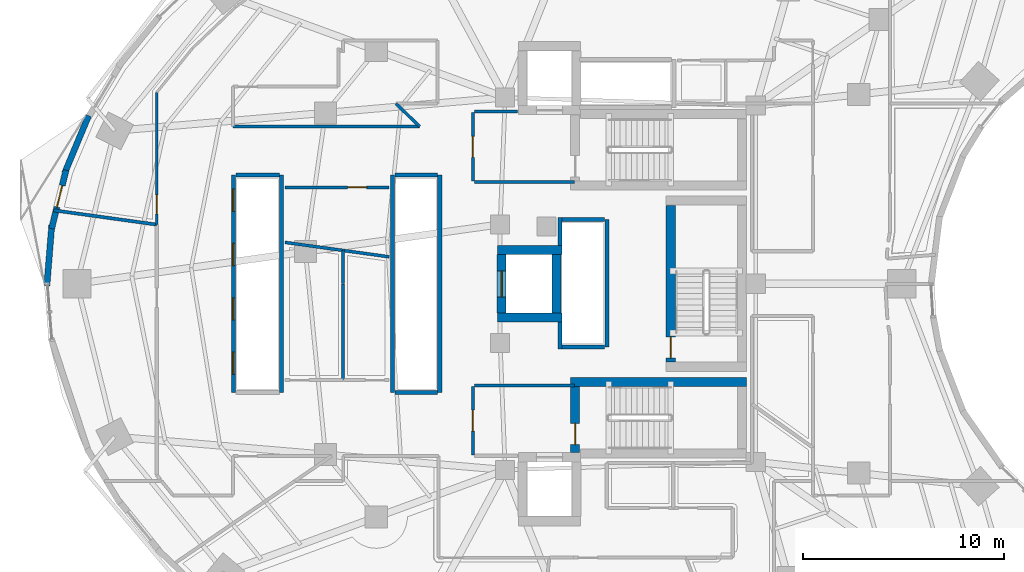
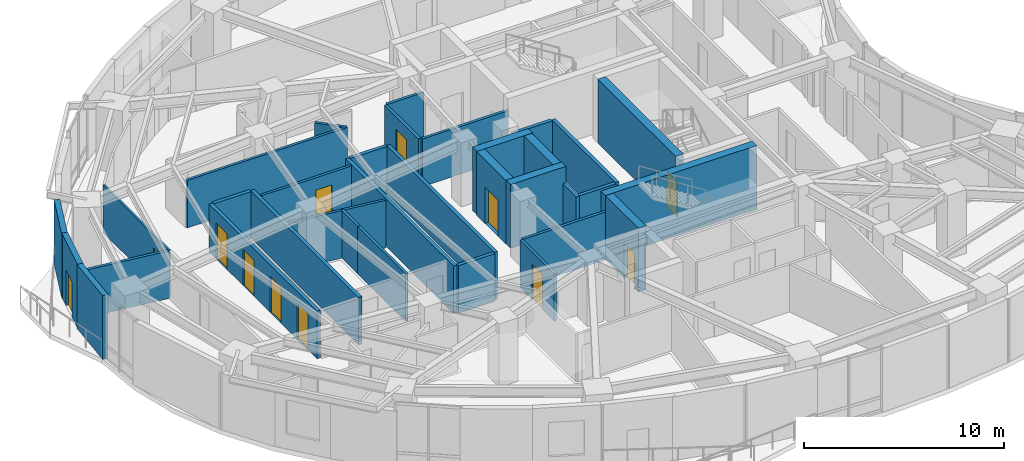
# One storey, part 9 of 16: 36 walls, 12 doors, 12 openings.
"""IFC4 building model written with IfcOpenShell, lengths in metres."""

from ifc_helpers import new_model, si_unit, direction, frame, frame_2d, origin, place, context, subcontext, project, spatial, rectangle, extrude, material, layer, layer_set, type_object, element, fill, save


model = new_model("IFC4")

# Units and contexts
model_context = context("Model", 3, precision=1e-05, world=origin(), true_north=direction((0.0, 1.0)))
body_context = subcontext(model_context, "Body", "Model", "MODEL_VIEW")
ifc_project = project(units=[si_unit("LENGTHUNIT", "METRE"), si_unit("AREAUNIT", "SQUARE_METRE"), si_unit("VOLUMEUNIT", "CUBIC_METRE"), si_unit("PLANEANGLEUNIT", "RADIAN"), si_unit("MASSUNIT", "GRAM", prefix="KILO")], contexts=[model_context])

# Site, building, storey
site_placement = place(None, origin())
site = spatial("IfcSite", under=ifc_project, at=site_placement, CompositionType="ELEMENT")
building_placement = place(site_placement, origin())
building = spatial("IfcBuilding", under=site, at=building_placement, Name="Korentha Bioscience Tower", CompositionType="ELEMENT")
storey_placement = place(building_placement, frame((0.0, 0.0, 59.39990234375)))
storey = spatial("IfcBuildingStorey", under=building, at=storey_placement, Name="L13", CompositionType="ELEMENT", Elevation=59.39990234375)

# Wall, opening, door
ifc_material_1 = material(Name="Double-Stud Acoustic Gypsum", Category="gypsum")
ifc_layer_1 = layer(ifc_material_1, 0.14990234375, Name="Double-Stud Acoustic Gypsum")
ifc_layer_set_1 = layer_set([ifc_layer_1], Name="Double-Stud Acoustic Gypsum (IW-L150)")
wall_type_1 = type_object("IfcWallType", Name="Acoustic Laboratory Partition Wall 150", PredefinedType="PARTITIONING", material=ifc_layer_set_1)
wall_1_placement = place(storey_placement, frame((14.159912109375, 31.7900390625, 0.0), z_axis=(0.0, 0.0, 1.0), x_axis=(1.0, 0.0, 0.0)))
wall_1 = element("IfcWall", 1, at=wall_1_placement, inside=storey, type_object=wall_type_1, Name="L13 Staff Kitchenette and Dining Nook 20 Entrance Wall", PredefinedType="PARTITIONING", context=body_context, shape_type="SweptSolid", body=[
    extrude(rectangle(XDim=5.18017578125, YDim=0.14990234375, at=frame_2d((2.590087890625, 0.0))), origin(), (0.0, 0.0, 1.0), 2.91015625),
])
opening_1_placement = place(wall_1_placement, frame((3.112060546875, 0.0, 0.0)))
opening_1 = element("IfcOpeningElement", 2, at=opening_1_placement, cuts=wall_1, Name="Opening ID-10L", PredefinedType="OPENING", context=body_context, shape_type="SweptSolid", body=[
    extrude(rectangle(XDim=0.949951171875, YDim=2.14990234375, at=frame_2d((0.47509765625, 1.074951171875))), frame((0.0, 0.08984375, 0.0), z_axis=(0.0, -1.0, 0.0), x_axis=(1.0, 0.0, 0.0)), (0.0, 0.0, 1.0), 0.1796875),
])
ifc_material_2 = material(Name="Phenolic Laminate Timber Core", Category="wood")
door_type_1 = type_object("IfcDoorType", Name="Laboratory Single Leaf Door 950x2150 Left", OperationType="SINGLE_SWING_LEFT", PredefinedType="DOOR", material=ifc_material_2)
door_1_placement = place(opening_1_placement, origin())
door_1 = element("IfcDoor", 3, at=door_1_placement, inside=storey, type_object=door_type_1, Name="L13 Staff Kitchenette and Dining Nook 20 Door", OperationType="SINGLE_SWING_LEFT", OverallHeight=2.14990234375, OverallWidth=0.949951171875, PredefinedType="DOOR", context=body_context, shape_type="SweptSolid", body=[
    extrude(rectangle(XDim=0.949951171875, YDim=2.14990234375, at=frame_2d((0.47509765625, 1.074951171875))), frame((0.0, 0.02490234375, 0.0), z_axis=(0.0, -1.0, 0.0), x_axis=(1.0, 0.0, 0.0)), (0.0, 0.0, 1.0), 0.050048828125),
])
fill(opening_1, door_1)

# Walls
wall_2_placement = place(storey_placement, frame((14.16015625, 29.053466796875, 0.0), z_axis=(0.0, 0.0, 1.0), x_axis=(0.990512548381, -0.137422310779, 0.0)))
element("IfcWall", 4, at=wall_2_placement, inside=storey, type_object=wall_type_1, Name="L13 Interior Partition 028", PredefinedType="PARTITIONING", context=body_context, shape_type="SweptSolid", body=[
    extrude(rectangle(XDim=2.915283203125, YDim=0.14990234375, at=frame_2d((1.45751953125, 0.0))), origin(), (0.0, 0.0, 1.0), 2.91015625),
])
wall_3_placement = place(storey_placement, frame((17.048095703125, 28.652587890625, 0.0), z_axis=(0.0, 0.0, 1.0), x_axis=(0.0, -1.0, 0.0)))
element("IfcWall", 5, at=wall_3_placement, inside=storey, type_object=wall_type_1, Name="L13 Interior Partition 029", PredefinedType="PARTITIONING", context=body_context, shape_type="SweptSolid", body=[
    extrude(rectangle(XDim=1.650390625, YDim=0.14990234375, at=frame_2d((0.8251953125, 0.0))), origin(), (0.0, 0.0, 1.0), 2.91015625),
])
wall_4_placement = place(storey_placement, frame((17.048095703125, 26.997802734375, 0.0), z_axis=(0.0, 0.0, 1.0), x_axis=(0.0, -1.0, 0.0)))
element("IfcWall", 6, at=wall_4_placement, inside=storey, type_object=wall_type_1, Name="L13 Interior Partition 030", PredefinedType="PARTITIONING", context=body_context, shape_type="SweptSolid", body=[
    extrude(rectangle(XDim=4.787841796875, YDim=0.14990234375, at=frame_2d((2.39404296875, 0.0))), origin(), (0.0, 0.0, 1.0), 2.91015625),
])
wall_5_placement = place(storey_placement, frame((17.05810546875, 28.6513671875, 0.0), z_axis=(0.0, 0.0, 1.0), x_axis=(0.99050751053, -0.137458617714, 0.0)))
element("IfcWall", 7, at=wall_5_placement, inside=storey, type_object=wall_type_1, Name="L13 Interior Partition 034", PredefinedType="PARTITIONING", context=body_context, shape_type="SweptSolid", body=[
    extrude(rectangle(XDim=2.3037109375, YDim=0.14990234375, at=frame_2d((1.15185546875, 0.0))), origin(), (0.0, 0.0, 1.0), 2.91015625),
])
wall_6_placement = place(storey_placement, frame((19.67529296875, 35.945068359375, 0.0), z_axis=(0.0, 0.0, 1.0), x_axis=(0.720620963524, -0.693329234152, 0.0)))
element("IfcWall", 8, at=wall_6_placement, inside=storey, type_object=wall_type_1, Name="L13 Interior Partition 091", PredefinedType="PARTITIONING", context=body_context, shape_type="SweptSolid", body=[
    extrude(rectangle(XDim=1.636962890625, YDim=0.14990234375, at=frame_2d((0.818359375, 0.0))), origin(), (0.0, 0.0, 1.0), 2.91015625),
])
wall_7_placement = place(storey_placement, frame((20.85498046875, 34.81005859375, 0.0), z_axis=(0.0, 0.0, 1.0), x_axis=(-1.0, 0.0, 0.0)))
element("IfcWall", 9, at=wall_7_placement, inside=storey, type_object=wall_type_1, Name="L13 Interior Partition 092", PredefinedType="PARTITIONING", context=body_context, shape_type="SweptSolid", body=[
    extrude(rectangle(XDim=9.264892578125, YDim=0.14990234375, at=frame_2d((4.63232421875, 0.0))), origin(), (0.0, 0.0, 1.0), 2.91015625),
])

# Wall, opening, door
ifc_material_3 = material(Name="Fire-Rated Framed Glass", Category="glass")
ifc_layer_2 = layer(ifc_material_3, 0.110107421875, Name="Fire-Rated Framed Glass")
ifc_layer_set_2 = layer_set([ifc_layer_2], Name="Fire-Rated Framed Glass (IW-G110)")
wall_type_2 = type_object("IfcWallType", Name="Demountable Glazed Office Partition 110", PredefinedType="MOVABLE", material=ifc_layer_set_2)
wall_8_placement = place(storey_placement, frame((7.7900390625, 36.501220703125, 0.0), z_axis=(0.0, 0.0, 1.0), x_axis=(0.0, -1.0, 0.0)))
wall_8 = element("IfcWall", 10, at=wall_8_placement, inside=storey, type_object=wall_type_2, Name="L13 Colloquium Huddle Room 19 Entrance Wall", PredefinedType="MOVABLE", context=body_context, shape_type="SweptSolid", body=[
    extrude(rectangle(XDim=6.5537109375, YDim=0.110107421875, at=frame_2d((3.27685546875, 0.0))), origin(), (0.0, 0.0, 1.0), 2.91015625),
])
opening_2_placement = place(wall_8_placement, frame((5.083251953125, 0.0, 0.0)))
opening_2 = element("IfcOpeningElement", 11, at=opening_2_placement, cuts=wall_8, Name="Opening ID-10R", PredefinedType="OPENING", context=body_context, shape_type="SweptSolid", body=[
    extrude(rectangle(XDim=0.949951171875, YDim=2.14990234375, at=frame_2d((0.47509765625, 1.074951171875))), frame((0.0, 0.06982421875, 0.0), z_axis=(0.0, -1.0, 0.0), x_axis=(1.0, 0.0, 0.0)), (0.0, 0.0, 1.0), 0.139892578125),
])
door_type_2 = type_object("IfcDoorType", Name="Laboratory Single Leaf Door 950x2150 Right", OperationType="SINGLE_SWING_RIGHT", PredefinedType="DOOR", material=ifc_material_2)
door_2_placement = place(opening_2_placement, origin())
door_2 = element("IfcDoor", 12, at=door_2_placement, inside=storey, type_object=door_type_2, Name="L13 Colloquium Huddle Room 19 Door", OperationType="SINGLE_SWING_RIGHT", OverallHeight=2.14990234375, OverallWidth=0.949951171875, PredefinedType="DOOR", context=body_context, shape_type="SweptSolid", body=[
    extrude(rectangle(XDim=0.949951171875, YDim=2.14990234375, at=frame_2d((0.47509765625, 1.074951171875))), frame((0.0, 0.02490234375, 0.0), z_axis=(0.0, -1.0, 0.0), x_axis=(1.0, 0.0, 0.0)), (0.0, 0.0, 1.0), 0.050048828125),
])
fill(opening_2, door_2)

ifc_material_4 = material(Name="Gypsum-Clad Steel Stud", Category="steel")
ifc_layer_3 = layer(ifc_material_4, 0.159912109375, Name="Gypsum-Clad Steel Stud")
ifc_layer_set_3 = layer_set([ifc_layer_3], Name="Gypsum-Clad Steel Stud (IW-C160)")
wall_type_3 = type_object("IfcWallType", Name="Fire-Rated Corridor Partition Wall 160", PredefinedType="PARTITIONING", material=ifc_layer_set_3)
wall_9_placement = place(storey_placement, frame((23.5, 32.10009765625, 0.0), z_axis=(0.0, 0.0, 1.0), x_axis=(0.0, 1.0, 0.0)))
wall_9 = element("IfcWall", 13, at=wall_9_placement, inside=storey, type_object=wall_type_3, Name="L13 FFLN-CW Rated Enclosure Wall", PredefinedType="PARTITIONING", context=body_context, shape_type="SweptSolid", body=[
    extrude(rectangle(XDim=3.39990234375, YDim=0.159912109375, at=frame_2d((1.699951171875, 0.0))), origin(), (0.0, 0.0, 1.0), 2.91015625),
])
opening_3_placement = place(wall_9_placement, frame((1.175048828125, 0.0, 0.0)))
opening_3 = element("IfcOpeningElement", 14, at=opening_3_placement, cuts=wall_9, Name="Opening FD-90R", PredefinedType="OPENING", context=body_context, shape_type="SweptSolid", body=[
    extrude(rectangle(XDim=1.050048828125, YDim=2.14990234375, at=frame_2d((0.52490234375, 1.074951171875))), frame((0.0, 0.0947265625, 0.0), z_axis=(0.0, -1.0, 0.0), x_axis=(1.0, 0.0, 0.0)), (0.0, 0.0, 1.0), 0.189697265625),
])
ifc_material_5 = material(Name="Powder-Coated Fire-Rated Steel", Category="steel")
door_type_3 = type_object("IfcDoorType", Name="Stairwell Fire Exit Door 1050x2150 Right", OperationType="SINGLE_SWING_RIGHT", PredefinedType="DOOR", material=ifc_material_5)
door_3_placement = place(opening_3_placement, origin())
door_3 = element("IfcDoor", 15, at=door_3_placement, inside=storey, type_object=door_type_3, Name="L13 North Firefighting Lobby Door", OperationType="SINGLE_SWING_RIGHT", OverallHeight=2.14990234375, OverallWidth=1.050048828125, PredefinedType="DOOR", context=body_context, shape_type="SweptSolid", body=[
    extrude(rectangle(XDim=1.050048828125, YDim=2.14990234375, at=frame_2d((0.52490234375, 1.074951171875))), frame((0.0, 0.02490234375, 0.0), z_axis=(0.0, -1.0, 0.0), x_axis=(1.0, 0.0, 0.0)), (0.0, 0.0, 1.0), 0.050048828125),
])
fill(opening_3, door_3)

wall_10_placement = place(storey_placement, frame((23.5, 18.5, 0.0), z_axis=(0.0, 0.0, 1.0), x_axis=(0.0, 1.0, 0.0)))
wall_10 = element("IfcWall", 16, at=wall_10_placement, inside=storey, type_object=wall_type_3, Name="L13 FFLS-CW Rated Enclosure Wall", PredefinedType="PARTITIONING", context=body_context, shape_type="SweptSolid", body=[
    extrude(rectangle(XDim=3.39990234375, YDim=0.159912109375, at=frame_2d((1.699951171875, 0.0))), origin(), (0.0, 0.0, 1.0), 2.91015625),
])
opening_4_placement = place(wall_10_placement, frame((1.175048828125, 0.0, 0.0)))
opening_4 = element("IfcOpeningElement", 17, at=opening_4_placement, cuts=wall_10, Name="Opening FD-90R", PredefinedType="OPENING", context=body_context, shape_type="SweptSolid", body=[
    extrude(rectangle(XDim=1.050048828125, YDim=2.14990234375, at=frame_2d((0.52490234375, 1.074951171875))), frame((0.0, 0.0947265625, 0.0), z_axis=(0.0, -1.0, 0.0), x_axis=(1.0, 0.0, 0.0)), (0.0, 0.0, 1.0), 0.189697265625),
])
door_4_placement = place(opening_4_placement, origin())
door_4 = element("IfcDoor", 18, at=door_4_placement, inside=storey, type_object=door_type_3, Name="L13 South Firefighting Lobby Door", OperationType="SINGLE_SWING_RIGHT", OverallHeight=2.14990234375, OverallWidth=1.050048828125, PredefinedType="DOOR", context=body_context, shape_type="SweptSolid", body=[
    extrude(rectangle(XDim=1.050048828125, YDim=2.14990234375, at=frame_2d((0.52490234375, 1.074951171875))), frame((0.0, 0.02490234375, 0.0), z_axis=(0.0, -1.0, 0.0), x_axis=(1.0, 0.0, 0.0)), (0.0, 0.0, 1.0), 0.050048828125),
])
fill(opening_4, door_4)

# Walls
wall_11_placement = place(storey_placement, frame((23.580078125, 32.050048828125, 0.0), z_axis=(0.0, 0.0, 1.0), x_axis=(1.0, 0.0, 0.0)))
element("IfcWall", 19, at=wall_11_placement, inside=storey, type_object=wall_type_3, Name="L13 Firefighting Lobby Return Wall FFLN-S", PredefinedType="PARTITIONING", context=body_context, shape_type="SweptSolid", body=[
    extrude(rectangle(XDim=4.969970703125, YDim=0.159912109375, at=frame_2d((2.48486328125, 0.0))), origin(), (0.0, 0.0, 1.0), 2.91015625),
])
wall_12_placement = place(storey_placement, frame((23.580078125, 35.550048828125, 0.0), z_axis=(0.0, 0.0, 1.0), x_axis=(1.0, 0.0, 0.0)))
element("IfcWall", 20, at=wall_12_placement, inside=storey, type_object=wall_type_3, Name="L13 Firefighting Lobby Return Wall FFLN-N", PredefinedType="PARTITIONING", context=body_context, shape_type="SweptSolid", body=[
    extrude(rectangle(XDim=2.119873046875, YDim=0.159912109375, at=frame_2d((1.06005859375, 0.0))), origin(), (0.0, 0.0, 1.0), 2.91015625),
])
wall_13_placement = place(storey_placement, frame((23.580078125, 21.949951171875, 0.0), z_axis=(0.0, 0.0, 1.0), x_axis=(1.0, 0.0, 0.0)))
element("IfcWall", 21, at=wall_13_placement, inside=storey, type_object=wall_type_3, Name="L13 Firefighting Lobby Return Wall FFLS-N", PredefinedType="PARTITIONING", context=body_context, shape_type="SweptSolid", body=[
    extrude(rectangle(XDim=4.969970703125, YDim=0.159912109375, at=frame_2d((2.48486328125, 0.0))), origin(), (0.0, 0.0, 1.0), 2.91015625),
])
wall_14_placement = place(storey_placement, frame((2.653076171875, 30.650146484375, 0.0), z_axis=(0.0, 0.0, 1.0), x_axis=(0.990513820913, -0.137413138313, 0.0)))
element("IfcWall", 22, at=wall_14_placement, inside=storey, type_object=wall_type_3, Name="L13 Interior Partition 031", PredefinedType="PARTITIONING", context=body_context, shape_type="SweptSolid", body=[
    extrude(rectangle(XDim=5.186279296875, YDim=0.159912109375, at=frame_2d((2.59326171875, 0.0))), origin(), (0.0, 0.0, 1.0), 2.91015625),
])

# Wall, opening, door
ifc_material_6 = material(Name="Honed Limestone Precast Concrete C40", Category="masonry")
ifc_layer_4 = layer(ifc_material_6, 0.300048828125, Name="Honed Limestone Precast Concrete C40")
ifc_layer_set_4 = layer_set([ifc_layer_4], Name="Honed Limestone Precast Concrete C40 (EW-ST300)")
wall_type_4 = type_object("IfcWallType", Name="Honed Limestone Cavity Spandrel Wall 300", PredefinedType="STANDARD", material=ifc_layer_set_4)
wall_15_placement = place(storey_placement, frame((3.28466796875, 32.640625, 0.0), z_axis=(0.0, 0.0, 1.0), x_axis=(-0.238522035896, -0.971137085273, 0.0)))
wall_15 = element("IfcWall", 23, at=wall_15_placement, inside=storey, type_object=wall_type_4, Name="L13 Balcony Threshold Wall 02", PredefinedType="STANDARD", context=body_context, shape_type="SweptSolid", body=[
    extrude(rectangle(XDim=2.992919921875, YDim=0.300048828125, at=frame_2d((1.49658203125, 0.0))), origin(), (0.0, 0.0, 1.0), 3.900146484375),
])
opening_5_placement = place(wall_15_placement, frame((0.78466796875, 0.0, 0.0)))
opening_5 = element("IfcOpeningElement", 24, at=opening_5_placement, cuts=wall_15, Name="Opening BD-11R", PredefinedType="OPENING", context=body_context, shape_type="SweptSolid", body=[
    extrude(rectangle(XDim=1.10009765625, YDim=2.14990234375, at=frame_2d((0.550048828125, 1.074951171875))), frame((0.0, 0.1650390625, 0.0), z_axis=(0.0, -1.0, 0.0), x_axis=(1.0, 0.0, 0.0)), (0.0, 0.0, 1.0), 0.329833984375),
])
ifc_material_7 = material(Name="Thermally Broken Glazed Aluminium", Category="aluminium")
door_type_4 = type_object("IfcDoorType", Name="Balcony Terrace Glazed Door 1100x2150 Right", OperationType="SINGLE_SWING_RIGHT", PredefinedType="DOOR", material=ifc_material_7)
door_5_placement = place(opening_5_placement, origin())
door_5 = element("IfcDoor", 25, at=door_5_placement, inside=storey, type_object=door_type_4, Name="L13 Balcony Access Door 02", OperationType="SINGLE_SWING_RIGHT", OverallHeight=2.14990234375, OverallWidth=1.10009765625, PredefinedType="DOOR", context=body_context, shape_type="SweptSolid", body=[
    extrude(rectangle(XDim=1.10009765625, YDim=2.14990234375, at=frame_2d((0.550048828125, 1.074951171875))), frame((0.0, 0.02490234375, 0.0), z_axis=(0.0, -1.0, 0.0), x_axis=(1.0, 0.0, 0.0)), (0.0, 0.0, 1.0), 0.050048828125),
])
fill(opening_5, door_5)

# Walls
wall_16_placement = place(storey_placement, frame((4.40625, 35.34912109375, 0.0), z_axis=(0.0, 0.0, 1.0), x_axis=(-0.38535448421, -0.922768617531, 0.0)))
element("IfcWall", 26, at=wall_16_placement, inside=storey, type_object=wall_type_4, Name="L13 Limestone Perimeter Closure Wall 16", PredefinedType="STANDARD", context=body_context, shape_type="SweptSolid", body=[
    extrude(rectangle(XDim=3.095458984375, YDim=0.300048828125, at=frame_2d((1.5478515625, 0.0))), origin(), (0.0, 0.0, 1.0), 3.900146484375),
])
wall_17_placement = place(storey_placement, frame((2.57568359375, 29.899169921875, 0.0), z_axis=(0.0, 0.0, 1.0), x_axis=(-0.080890160317, -0.996723021689, 0.0)))
element("IfcWall", 27, at=wall_17_placement, inside=storey, type_object=wall_type_4, Name="L13 Limestone Perimeter Closure Wall 18", PredefinedType="STANDARD", context=body_context, shape_type="SweptSolid", body=[
    extrude(rectangle(XDim=3.0, YDim=0.300048828125, at=frame_2d((1.5, 0.0))), origin(), (0.0, 0.0, 1.0), 3.900146484375),
])

# Wall, openings, doors
ifc_material_8 = material(Name="Autoclaved Aerated Concrete Block C25", Category="concrete")
ifc_layer_5 = layer(ifc_material_8, 0.199951171875, Name="Autoclaved Aerated Concrete Block C25")
ifc_layer_set_5 = layer_set([ifc_layer_5], Name="Autoclaved Aerated Concrete Block C25 (IW-S200)")
wall_type_5 = type_object("IfcWallType", Name="Lift and Riser Shaft Enclosure Wall 200", PredefinedType="PARTITIONING", material=ifc_layer_set_5)
wall_18_placement = place(storey_placement, frame((11.60009765625, 21.60009765625, 0.0), z_axis=(0.0, 0.0, 1.0), x_axis=(0.0, 1.0, 0.0)))
wall_18 = element("IfcWall", 28, at=wall_18_placement, inside=storey, type_object=wall_type_5, Name="L13 Lift Bank LOW Shaft Wall -X", PredefinedType="PARTITIONING", context=body_context, shape_type="SweptSolid", body=[
    extrude(rectangle(XDim=10.7998046875, YDim=0.199951171875, at=frame_2d((5.39990234375, 0.0))), origin(), (0.0, 0.0, 1.0), 2.91015625),
])
opening_6_placement = place(wall_18_placement, frame((0.89990234375, 0.0, 0.0)))
opening_6 = element("IfcOpeningElement", 29, at=opening_6_placement, cuts=wall_18, Name="Opening LD-11", PredefinedType="OPENING", context=body_context, shape_type="SweptSolid", body=[
    extrude(rectangle(XDim=1.10009765625, YDim=2.199951171875, at=frame_2d((0.550048828125, 1.10009765625))), frame((0.0, 0.11474609375, 0.0), z_axis=(0.0, -1.0, 0.0), x_axis=(1.0, 0.0, 0.0)), (0.0, 0.0, 1.0), 0.229736328125),
])
opening_7_placement = place(wall_18_placement, frame((3.60009765625, 0.0, 0.0)))
opening_7 = element("IfcOpeningElement", 30, at=opening_7_placement, cuts=wall_18, Name="Opening LD-11", PredefinedType="OPENING", context=body_context, shape_type="SweptSolid", body=[
    extrude(rectangle(XDim=1.10009765625, YDim=2.199951171875, at=frame_2d((0.550048828125, 1.10009765625))), frame((0.0, 0.11474609375, 0.0), z_axis=(0.0, -1.0, 0.0), x_axis=(1.0, 0.0, 0.0)), (0.0, 0.0, 1.0), 0.229736328125),
])
opening_8_placement = place(wall_18_placement, frame((6.300048828125, 0.0, 0.0)))
opening_8 = element("IfcOpeningElement", 31, at=opening_8_placement, cuts=wall_18, Name="Opening LD-11", PredefinedType="OPENING", context=body_context, shape_type="SweptSolid", body=[
    extrude(rectangle(XDim=1.10009765625, YDim=2.199951171875, at=frame_2d((0.550048828125, 1.10009765625))), frame((0.0, 0.11474609375, 0.0), z_axis=(0.0, -1.0, 0.0), x_axis=(1.0, 0.0, 0.0)), (0.0, 0.0, 1.0), 0.229736328125),
])
opening_9_placement = place(wall_18_placement, frame((9.0, 0.0, 0.0)))
opening_9 = element("IfcOpeningElement", 32, at=opening_9_placement, cuts=wall_18, Name="Opening LD-11", PredefinedType="OPENING", context=body_context, shape_type="SweptSolid", body=[
    extrude(rectangle(XDim=1.10009765625, YDim=2.199951171875, at=frame_2d((0.550048828125, 1.10009765625))), frame((0.0, 0.11474609375, 0.0), z_axis=(0.0, -1.0, 0.0), x_axis=(1.0, 0.0, 0.0)), (0.0, 0.0, 1.0), 0.229736328125),
])
ifc_material_9 = material(Name="Brushed Stainless Steel 304", Category="steel")
door_type_5 = type_object("IfcDoorType", Name="Passenger Lift Sliding Landing Door 1100x2200", OperationType="DOUBLE_DOOR_SLIDING", PredefinedType="DOOR", material=ifc_material_9)
door_6_placement = place(opening_6_placement, origin())
door_6 = element("IfcDoor", 33, at=door_6_placement, inside=storey, type_object=door_type_5, Name="L13 PL-L1 Sliding Lift Landing Door", OperationType="DOUBLE_DOOR_SLIDING", OverallHeight=2.199951171875, OverallWidth=1.10009765625, PredefinedType="DOOR", context=body_context, shape_type="SweptSolid", body=[
    extrude(rectangle(XDim=1.10009765625, YDim=2.199951171875, at=frame_2d((0.550048828125, 1.10009765625))), frame((0.0, 0.02490234375, 0.0), z_axis=(0.0, -1.0, 0.0), x_axis=(1.0, 0.0, 0.0)), (0.0, 0.0, 1.0), 0.050048828125),
])
fill(opening_6, door_6)
door_7_placement = place(opening_7_placement, origin())
door_7 = element("IfcDoor", 34, at=door_7_placement, inside=storey, type_object=door_type_5, Name="L13 PL-L2 Sliding Lift Landing Door", OperationType="DOUBLE_DOOR_SLIDING", OverallHeight=2.199951171875, OverallWidth=1.10009765625, PredefinedType="DOOR", context=body_context, shape_type="SweptSolid", body=[
    extrude(rectangle(XDim=1.10009765625, YDim=2.199951171875, at=frame_2d((0.550048828125, 1.10009765625))), frame((0.0, 0.02490234375, 0.0), z_axis=(0.0, -1.0, 0.0), x_axis=(1.0, 0.0, 0.0)), (0.0, 0.0, 1.0), 0.050048828125),
])
fill(opening_7, door_7)
door_8_placement = place(opening_8_placement, origin())
door_8 = element("IfcDoor", 35, at=door_8_placement, inside=storey, type_object=door_type_5, Name="L13 PL-L3 Sliding Lift Landing Door", OperationType="DOUBLE_DOOR_SLIDING", OverallHeight=2.199951171875, OverallWidth=1.10009765625, PredefinedType="DOOR", context=body_context, shape_type="SweptSolid", body=[
    extrude(rectangle(XDim=1.10009765625, YDim=2.199951171875, at=frame_2d((0.550048828125, 1.10009765625))), frame((0.0, 0.02490234375, 0.0), z_axis=(0.0, -1.0, 0.0), x_axis=(1.0, 0.0, 0.0)), (0.0, 0.0, 1.0), 0.050048828125),
])
fill(opening_8, door_8)
door_9_placement = place(opening_9_placement, origin())
door_9 = element("IfcDoor", 36, at=door_9_placement, inside=storey, type_object=door_type_5, Name="L13 PL-L4 Sliding Lift Landing Door", OperationType="DOUBLE_DOOR_SLIDING", OverallHeight=2.199951171875, OverallWidth=1.10009765625, PredefinedType="DOOR", context=body_context, shape_type="SweptSolid", body=[
    extrude(rectangle(XDim=1.10009765625, YDim=2.199951171875, at=frame_2d((0.550048828125, 1.10009765625))), frame((0.0, 0.02490234375, 0.0), z_axis=(0.0, -1.0, 0.0), x_axis=(1.0, 0.0, 0.0)), (0.0, 0.0, 1.0), 0.050048828125),
])
fill(opening_9, door_9)

# Walls
wall_19_placement = place(storey_placement, frame((14.0, 21.60009765625, 0.0), z_axis=(0.0, 0.0, 1.0), x_axis=(0.0, 1.0, 0.0)))
element("IfcWall", 37, at=wall_19_placement, inside=storey, type_object=wall_type_5, Name="L13 Lift Bank LOW Shaft Wall +X", PredefinedType="PARTITIONING", context=body_context, shape_type="SweptSolid", body=[
    extrude(rectangle(XDim=10.7998046875, YDim=0.199951171875, at=frame_2d((5.39990234375, 0.0))), origin(), (0.0, 0.0, 1.0), 2.91015625),
])
wall_20_placement = place(storey_placement, frame((11.719970703125, 32.39990234375, 0.0), z_axis=(0.0, 0.0, 1.0), x_axis=(1.0, 0.0, 0.0)))
element("IfcWall", 38, at=wall_20_placement, inside=storey, type_object=wall_type_5, Name="L13 Lift Bank LOW Shaft Wall +Y", PredefinedType="PARTITIONING", context=body_context, shape_type="SweptSolid", body=[
    extrude(rectangle(XDim=2.159912109375, YDim=0.199951171875, at=frame_2d((1.080078125, 0.0))), origin(), (0.0, 0.0, 1.0), 2.91015625),
])
for number, where, z_axis, x_axis, name in (
    (39, (19.5, 21.60009765625, 0.0), (0.0, 0.0, 1.0), (0.0, 1.0, 0.0), "L13 Lift Bank MID Shaft Wall -X"),
    (40, (21.85009765625, 21.60009765625, 0.0), (0.0, 0.0, 1.0), (0.0, 1.0, 0.0), "L13 Lift Bank MID Shaft Wall +X"),
):
    element("IfcWall", number, at=place(storey_placement, frame(where, z_axis=z_axis, x_axis=x_axis)), inside=storey, type_object=wall_type_5, Name=name, PredefinedType="PARTITIONING", context=body_context, shape_type="SweptSolid", body=[
        extrude(rectangle(XDim=10.7998046875, YDim=0.199951171875, at=frame_2d((5.39990234375, 0.0))), origin(), (0.0, 0.0, 1.0), 2.91015625),
    ])
for number, where, z_axis, x_axis, name in (
    (41, (19.6201171875, 21.60009765625, 0.0), (0.0, 0.0, 1.0), (1.0, 0.0, 0.0), "L13 Lift Bank MID Shaft Wall -Y"),
    (42, (19.6201171875, 32.39990234375, 0.0), (0.0, 0.0, 1.0), (1.0, 0.0, 0.0), "L13 Lift Bank MID Shaft Wall +Y"),
):
    element("IfcWall", number, at=place(storey_placement, frame(where, z_axis=z_axis, x_axis=x_axis)), inside=storey, type_object=wall_type_5, Name=name, PredefinedType="PARTITIONING", context=body_context, shape_type="SweptSolid", body=[
        extrude(rectangle(XDim=2.10986328125, YDim=0.199951171875, at=frame_2d((1.054931640625, 0.0))), origin(), (0.0, 0.0, 1.0), 2.91015625),
    ])
wall_21_placement = place(storey_placement, frame((27.830078125, 23.75, 0.0), z_axis=(0.0, 0.0, 1.0), x_axis=(0.0, 1.0, 0.0)))
element("IfcWall", 43, at=wall_21_placement, inside=storey, type_object=wall_type_5, Name="L13 Lift Bank HIGH Shaft Wall -XS", PredefinedType="PARTITIONING", context=body_context, shape_type="SweptSolid", body=[
    extrude(rectangle(XDim=1.341064453125, YDim=0.199951171875, at=frame_2d((0.67041015625, 0.0))), origin(), (0.0, 0.0, 1.0), 2.91015625),
])
wall_22_placement = place(storey_placement, frame((27.830078125, 28.908935546875, 0.0), z_axis=(0.0, 0.0, 1.0), x_axis=(0.0, 1.0, 0.0)))
element("IfcWall", 44, at=wall_22_placement, inside=storey, type_object=wall_type_5, Name="L13 Lift Bank HIGH Shaft Wall -XN", PredefinedType="PARTITIONING", context=body_context, shape_type="SweptSolid", body=[
    extrude(rectangle(XDim=1.39111328125, YDim=0.199951171875, at=frame_2d((0.695556640625, 0.0))), origin(), (0.0, 0.0, 1.0), 2.91015625),
])
wall_23_placement = place(storey_placement, frame((30.14990234375, 23.85009765625, 0.0), z_axis=(0.0, 0.0, 1.0), x_axis=(0.0, 1.0, 0.0)))
element("IfcWall", 45, at=wall_23_placement, inside=storey, type_object=wall_type_5, Name="L13 Lift Bank HIGH Shaft Wall +X", PredefinedType="PARTITIONING", context=body_context, shape_type="SweptSolid", body=[
    extrude(rectangle(XDim=6.349853515625, YDim=0.199951171875, at=frame_2d((3.1748046875, 0.0))), origin(), (0.0, 0.0, 1.0), 2.91015625),
])
for number, where, z_axis, x_axis, name in (
    (46, (27.93408203125, 23.85009765625, 0.0), (0.0, 0.0, 1.0), (1.0, 0.0, 0.0), "L13 Lift Bank HIGH Shaft Wall -Y"),
    (47, (27.93408203125, 30.199951171875, 0.0), (0.0, 0.0, 1.0), (1.0, 0.0, 0.0), "L13 Lift Bank HIGH Shaft Wall +Y"),
):
    element("IfcWall", number, at=place(storey_placement, frame(where, z_axis=z_axis, x_axis=x_axis)), inside=storey, type_object=wall_type_5, Name=name, PredefinedType="PARTITIONING", context=body_context, shape_type="SweptSolid", body=[
        extrude(rectangle(XDim=2.095947265625, YDim=0.199951171875, at=frame_2d((1.0478515625, 0.0))), origin(), (0.0, 0.0, 1.0), 2.91015625),
    ])
ifc_material_10 = material(Name="Concrete C80", Category="concrete")
ifc_layer_6 = layer(ifc_material_10, 0.449951171875, Name="Concrete C80")
ifc_layer_set_6 = layer_set([ifc_layer_6], Name="Concrete C80 (CW-C80)")
wall_type_6 = type_object("IfcWallType", Name="Lower Core Shear Wall 450", PredefinedType="SHEAR", material=ifc_layer_set_6)
wall_24_placement = place(storey_placement, frame((28.35009765625, 22.125, 0.0), z_axis=(0.0, 0.0, 1.0), x_axis=(1.0, 0.0, 0.0)))
element("IfcWall", 48, at=wall_24_placement, inside=storey, type_object=wall_type_6, Name="L13 Core Shear Wall ST2-N", PredefinedType="SHEAR", context=body_context, shape_type="SweptSolid", body=[
    extrude(rectangle(XDim=8.75, YDim=0.449951171875, at=frame_2d((4.375, 0.0))), origin(), (0.0, 0.0, 1.0), 3.900146484375),
])

# Wall, opening, door
wall_25_placement = place(storey_placement, frame((28.574951171875, 18.60693359375, 0.0), z_axis=(0.0, 0.0, 1.0), x_axis=(0.0, 1.0, 0.0)))
wall_25 = element("IfcWall", 49, at=wall_25_placement, inside=storey, type_object=wall_type_6, Name="L13 Core Shear Wall ST2-W", PredefinedType="SHEAR", context=body_context, shape_type="SweptSolid", body=[
    extrude(rectangle(XDim=3.282958984375, YDim=0.449951171875, at=frame_2d((1.6416015625, 0.0))), origin(), (0.0, 0.0, 1.0), 3.900146484375),
])
opening_10_placement = place(wall_25_placement, frame((0.403076171875, 0.0, 0.0)))
opening_10 = element("IfcOpeningElement", 50, at=opening_10_placement, cuts=wall_25, Name="Opening FD-90R", PredefinedType="OPENING", context=body_context, shape_type="SweptSolid", body=[
    extrude(rectangle(XDim=1.050048828125, YDim=2.14990234375, at=frame_2d((0.52490234375, 1.074951171875))), frame((0.0, 0.23974609375, 0.0), z_axis=(0.0, -1.0, 0.0), x_axis=(1.0, 0.0, 0.0)), (0.0, 0.0, 1.0), 0.479736328125),
])
door_10_placement = place(opening_10_placement, origin())
door_10 = element("IfcDoor", 51, at=door_10_placement, inside=storey, type_object=door_type_3, Name="L13 ST-2 Fire Exit Stair Door", OperationType="SINGLE_SWING_RIGHT", OverallHeight=2.14990234375, OverallWidth=1.050048828125, PredefinedType="DOOR", context=body_context, shape_type="SweptSolid", body=[
    extrude(rectangle(XDim=1.050048828125, YDim=2.14990234375, at=frame_2d((0.52490234375, 1.074951171875))), frame((0.0, 0.02490234375, 0.0), z_axis=(0.0, -1.0, 0.0), x_axis=(1.0, 0.0, 0.0)), (0.0, 0.0, 1.0), 0.050048828125),
])
fill(opening_10, door_10)

wall_26_placement = place(storey_placement, frame((33.324951171875, 23.110107421875, 0.0), z_axis=(0.0, 0.0, 1.0), x_axis=(0.0, 1.0, 0.0)))
wall_26 = element("IfcWall", 52, at=wall_26_placement, inside=storey, type_object=wall_type_6, Name="L13 Core Shear Wall ST3-W", PredefinedType="SHEAR", context=body_context, shape_type="SweptSolid", body=[
    extrude(rectangle(XDim=7.77978515625, YDim=0.449951171875, at=frame_2d((3.889892578125, 0.0))), origin(), (0.0, 0.0, 1.0), 3.900146484375),
])
opening_11_placement = place(wall_26_placement, frame((0.199951171875, 0.0, 0.0)))
opening_11 = element("IfcOpeningElement", 53, at=opening_11_placement, cuts=wall_26, Name="Opening FD-90R", PredefinedType="OPENING", context=body_context, shape_type="SweptSolid", body=[
    extrude(rectangle(XDim=1.050048828125, YDim=2.14990234375, at=frame_2d((0.52490234375, 1.074951171875))), frame((0.0, 0.23974609375, 0.0), z_axis=(0.0, -1.0, 0.0), x_axis=(1.0, 0.0, 0.0)), (0.0, 0.0, 1.0), 0.479736328125),
])
door_11_placement = place(opening_11_placement, origin())
door_11 = element("IfcDoor", 54, at=door_11_placement, inside=storey, type_object=door_type_3, Name="L13 ST-3 Fire Exit Stair Door", OperationType="SINGLE_SWING_RIGHT", OverallHeight=2.14990234375, OverallWidth=1.050048828125, PredefinedType="DOOR", context=body_context, shape_type="SweptSolid", body=[
    extrude(rectangle(XDim=1.050048828125, YDim=2.14990234375, at=frame_2d((0.52490234375, 1.074951171875))), frame((0.0, 0.02490234375, 0.0), z_axis=(0.0, -1.0, 0.0), x_axis=(1.0, 0.0, 0.0)), (0.0, 0.0, 1.0), 0.050048828125),
])
fill(opening_11, door_11)

# Walls
for number, where, z_axis, x_axis, name in (
    (55, (24.719970703125, 28.679931640625, 0.0), (0.0, 0.0, 1.0), (1.0, 0.0, 0.0), "L13 Core Shear Wall SVL1-N"),
    (56, (24.719970703125, 25.320068359375, 0.0), (0.0, 0.0, 1.0), (1.0, 0.0, 0.0), "L13 Core Shear Wall SVL1-S"),
):
    element("IfcWall", number, at=place(storey_placement, frame(where, z_axis=z_axis, x_axis=x_axis)), inside=storey, type_object=wall_type_6, Name=name, PredefinedType="SHEAR", context=body_context, shape_type="SweptSolid", body=[
        extrude(rectangle(XDim=3.2099609375, YDim=0.449951171875, at=frame_2d((1.60498046875, 0.0))), origin(), (0.0, 0.0, 1.0), 3.900146484375),
    ])

# Wall, opening, door
wall_27_placement = place(storey_placement, frame((24.919921875, 25.547119140625, 0.0), z_axis=(0.0, 0.0, 1.0), x_axis=(0.0, 1.0, 0.0)))
wall_27 = element("IfcWall", 57, at=wall_27_placement, inside=storey, type_object=wall_type_6, Name="L13 Core Shear Wall SVL1-W", PredefinedType="SHEAR", context=body_context, shape_type="SweptSolid", body=[
    extrude(rectangle(XDim=2.90576171875, YDim=0.449951171875, at=frame_2d((1.452880859375, 0.0))), origin(), (0.0, 0.0, 1.0), 3.900146484375),
])
opening_12_placement = place(wall_27_placement, frame((0.7900390625, 0.0, 0.0)))
opening_12 = element("IfcOpeningElement", 58, at=opening_12_placement, cuts=wall_27, Name="Opening LD-13", PredefinedType="OPENING", context=body_context, shape_type="SweptSolid", body=[
    extrude(rectangle(XDim=1.300048828125, YDim=2.199951171875, at=frame_2d((0.64990234375, 1.10009765625))), frame((0.0, 0.23974609375, 0.0), z_axis=(0.0, -1.0, 0.0), x_axis=(1.0, 0.0, 0.0)), (0.0, 0.0, 1.0), 0.479736328125),
])
ifc_material_11 = material(Name="Brushed Stainless Steel 316", Category="steel")
door_type_6 = type_object("IfcDoorType", Name="Service & Firefighting Lift Landing Door 1300x2300", OperationType="DOUBLE_DOOR_SLIDING", PredefinedType="DOOR", material=ifc_material_11)
door_12_placement = place(opening_12_placement, origin())
door_12 = element("IfcDoor", 59, at=door_12_placement, inside=storey, type_object=door_type_6, Name="L13 SVL-1 Sliding Lift Landing Door", OperationType="DOUBLE_DOOR_SLIDING", OverallHeight=2.199951171875, OverallWidth=1.300048828125, PredefinedType="DOOR", context=body_context, shape_type="SweptSolid", body=[
    extrude(rectangle(XDim=1.300048828125, YDim=2.199951171875, at=frame_2d((0.64990234375, 1.10009765625))), frame((0.0, 0.02490234375, 0.0), z_axis=(0.0, -1.0, 0.0), x_axis=(1.0, 0.0, 0.0)), (0.0, 0.0, 1.0), 0.050048828125),
])
fill(opening_12, door_12)

# Wall
wall_28_placement = place(storey_placement, frame((27.64990234375, 25.547119140625, 0.0), z_axis=(0.0, 0.0, 1.0), x_axis=(0.0, 1.0, 0.0)))
element("IfcWall", 60, at=wall_28_placement, inside=storey, type_object=wall_type_6, Name="L13 Core Shear Wall SVL1-E", PredefinedType="SHEAR", context=body_context, shape_type="SweptSolid", body=[
    extrude(rectangle(XDim=2.90576171875, YDim=0.449951171875, at=frame_2d((1.452880859375, 0.0))), origin(), (0.0, 0.0, 1.0), 3.900146484375),
])

save(model, "model.ifc")
